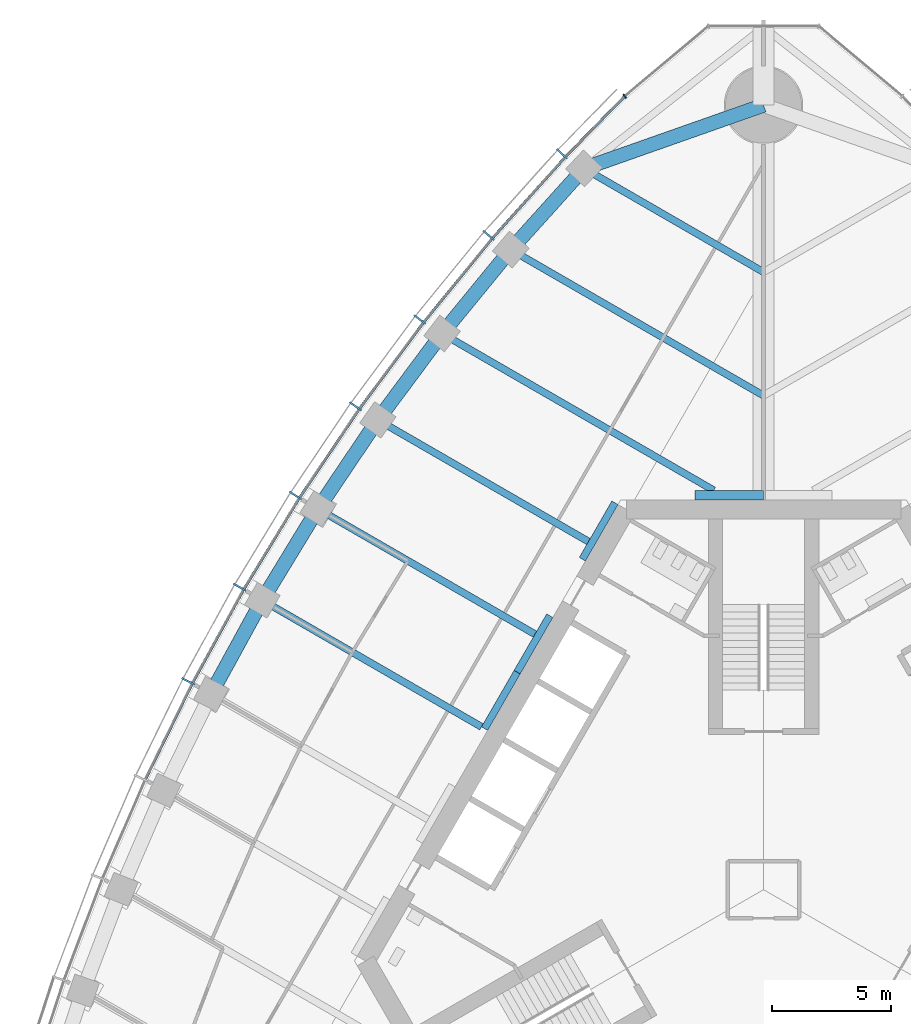
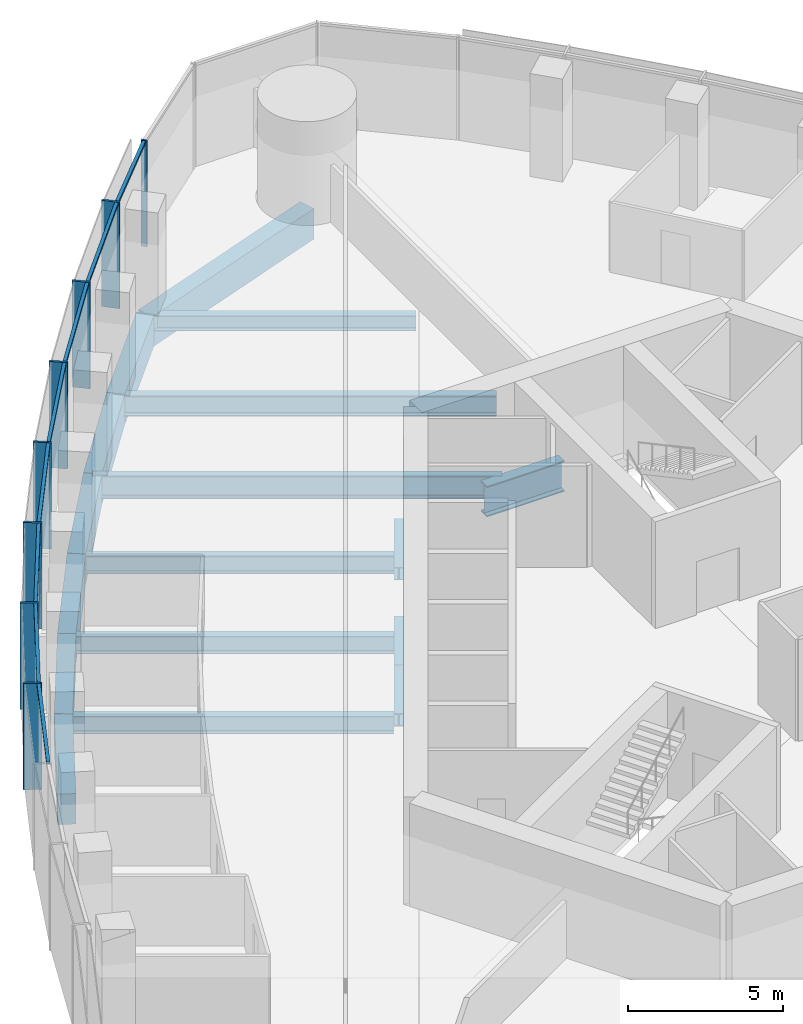
# One storey, part 5 of 19: 17 beams, 16 members, 2 elements without a shape of their own.
"""IFC4 building model written with IfcOpenShell, lengths in metres."""

from ifc_helpers import new_model, si_unit, direction, frame, origin, origin_2d, place, context, subcontext, project, spatial, rectangle, i_section, extrude, material, material_profile, profile_set, type_object, element, aggregate, save


model = new_model("IFC4")

# Units and contexts
model_context = context("Model", 3, precision=1e-05, world=origin(), true_north=direction((0.0, 1.0)))
body_context = subcontext(model_context, "Body", "Model", "MODEL_VIEW")
ifc_project = project(units=[si_unit("LENGTHUNIT", "METRE"), si_unit("AREAUNIT", "SQUARE_METRE"), si_unit("VOLUMEUNIT", "CUBIC_METRE"), si_unit("PLANEANGLEUNIT", "RADIAN"), si_unit("MASSUNIT", "GRAM", prefix="KILO")], contexts=[model_context])

# Site, building, storey
site_placement = place(None, origin())
site = spatial("IfcSite", under=ifc_project, at=site_placement, CompositionType="ELEMENT")
building_placement = place(site_placement, origin())
building = spatial("IfcBuilding", under=site, at=building_placement, Name="Trefoil Bronze Tower", CompositionType="ELEMENT")
storey_placement = place(building_placement, frame((0.0, 0.0, 206.5)))
storey = spatial("IfcBuildingStorey", under=building, at=storey_placement, Name="L47", CompositionType="ELEMENT", Elevation=206.5)

# Curtain wall, members
ifc_material_1 = material(Name="Tinted solar-control glass", Category="glass")
curtain_wall_type_1 = type_object("IfcCurtainWallType", Name="Bronze office curtain wall", PredefinedType="USERDEFINED", material=ifc_material_1)
curtain_wall_1_placement = place(storey_placement, origin())
curtain_wall_1 = element("IfcCurtainWall", 1, at=curtain_wall_1_placement, inside=storey, type_object=curtain_wall_type_1, Name="CW-A L47 F3", ObjectType="CURTAIN WALL", PredefinedType="USERDEFINED")
ifc_material_2 = material(Name="Bronze-finish aluminium", Category="aluminium")
ifc_material_profile_1 = material_profile(ifc_material_2, rectangle(XDim=0.60009765625, YDim=0.080078125, at=origin_2d()), Name="CW-A mullion")
ifc_profile_set_1 = profile_set([ifc_material_profile_1], Name="Bronze-finish aluminium")
member_type_1 = type_object("IfcMemberType", Name="Bronze office curtain wall mullion", PredefinedType="MULLION", material=ifc_profile_set_1)
member_1_placement = place(storey_placement, frame((-8.482177734375, 30.95654296875, 0.0), z_axis=(0.0, 0.0, 1.0), x_axis=(0.729859580661, -0.683597098091, 0.0)))
member_1 = element("IfcMember", 2, at=member_1_placement, type_object=member_type_1, Name="CW-A L47 F3 mullion 2", PredefinedType="MULLION", context=body_context, shape_type="SweptSolid", body=[
    extrude(rectangle(XDim=0.60009765625, YDim=0.080078125, at=origin_2d()), origin(), (0.0, 0.0, 1.0), 4.179931640625),
])
member_2_placement = place(storey_placement, frame((-11.564697265625, 27.525146484375, 0.0), z_axis=(0.0, 0.0, 1.0), x_axis=(0.75935470958, -0.650676897576, 0.0)))
member_2 = element("IfcMember", 3, at=member_2_placement, type_object=member_type_1, Name="CW-A L47 F3 mullion 3", PredefinedType="MULLION", context=body_context, shape_type="SweptSolid", body=[
    extrude(rectangle(XDim=0.60009765625, YDim=0.080078125, at=origin_2d()), origin(), (0.0, 0.0, 1.0), 4.179931640625),
])
member_3_placement = place(storey_placement, frame((-14.45849609375, 23.98388671875, 0.0), z_axis=(0.0, 0.0, 1.0), x_axis=(0.788821461078, -0.614622406476, 0.0)))
member_3 = element("IfcMember", 4, at=member_3_placement, type_object=member_type_1, Name="CW-A L47 F3 mullion 4", PredefinedType="MULLION", context=body_context, shape_type="SweptSolid", body=[
    extrude(rectangle(XDim=0.60009765625, YDim=0.080078125, at=origin_2d()), origin(), (0.0, 0.0, 1.0), 4.179931640625),
])
member_4_placement = place(storey_placement, frame((-17.167236328125, 20.335693359375, 0.0), z_axis=(0.0, 0.0, 1.0), x_axis=(0.81640398396, -0.577481198806, 0.0)))
member_4 = element("IfcMember", 5, at=member_4_placement, type_object=member_type_1, Name="CW-A L47 F3 mullion 5", PredefinedType="MULLION", context=body_context, shape_type="SweptSolid", body=[
    extrude(rectangle(XDim=0.60009765625, YDim=0.080078125, at=origin_2d()), origin(), (0.0, 0.0, 1.0), 4.179931640625),
])
member_5_placement = place(storey_placement, frame((-19.694091796875, 16.58251953125, 0.0), z_axis=(0.0, 0.0, 1.0), x_axis=(0.842132664593, -0.539270410114, 0.0)))
member_5 = element("IfcMember", 6, at=member_5_placement, type_object=member_type_1, Name="CW-A L47 F3 mullion 6", PredefinedType="MULLION", context=body_context, shape_type="SweptSolid", body=[
    extrude(rectangle(XDim=0.60009765625, YDim=0.080078125, at=origin_2d()), origin(), (0.0, 0.0, 1.0), 4.179931640625),
])
member_6_placement = place(storey_placement, frame((-22.041015625, 12.725341796875, 0.0), z_axis=(0.0, 0.0, 1.0), x_axis=(0.866025403784, -0.5, 0.0)))
member_6 = element("IfcMember", 7, at=member_6_placement, type_object=member_type_1, Name="CW-A L47 F3 mullion 7", PredefinedType="MULLION", context=body_context, shape_type="SweptSolid", body=[
    extrude(rectangle(XDim=0.60009765625, YDim=0.080078125, at=origin_2d()), origin(), (0.0, 0.0, 1.0), 4.179931640625),
])
member_7_placement = place(storey_placement, frame((-24.2080078125, 8.764404296875, 0.0), z_axis=(0.0, 0.0, 1.0), x_axis=(0.888088206965, -0.459673075837, 0.0)))
member_7 = element("IfcMember", 8, at=member_7_placement, type_object=member_type_1, Name="CW-A L47 F3 mullion 8", PredefinedType="MULLION", context=body_context, shape_type="SweptSolid", body=[
    extrude(rectangle(XDim=0.60009765625, YDim=0.080078125, at=origin_2d()), origin(), (0.0, 0.0, 1.0), 4.179931640625),
])
ifc_material_3 = material(Name="Bronze-finish aluminium", Category="aluminium")
ifc_material_profile_2 = material_profile(ifc_material_3, rectangle(XDim=0.1201171875, YDim=0.10009765625, at=origin_2d()), Name="CW-A transom")
ifc_profile_set_2 = profile_set([ifc_material_profile_2], Name="Bronze-finish aluminium")
member_type_2 = type_object("IfcMemberType", Name="Bronze office curtain wall transom", PredefinedType="USERDEFINED", material=ifc_profile_set_2)
member_8_placement = place(storey_placement, frame((-5.873046875, 33.342529296875, 4.1298828125), z_axis=(-0.698646935368, -0.715466602785, 0.0), x_axis=(0.715466602785, -0.698646935368, 0.0)))
member_8 = element("IfcMember", 9, at=member_8_placement, type_object=member_type_2, Name="CW-A L47 F3 transom 1", ObjectType="TRANSOM", PredefinedType="USERDEFINED", context=body_context, shape_type="SweptSolid", body=[
    extrude(rectangle(XDim=0.1201171875, YDim=0.10009765625, at=origin_2d()), origin(), (0.0, 0.0, 1.0), 3.483642578125),
])
member_9_placement = place(storey_placement, frame((-8.364501953125, 30.78857421875, 4.1298828125), z_axis=(-0.66825109551, -0.743935799213, 0.0), x_axis=(0.743935799213, -0.66825109551, 0.0)))
member_9 = element("IfcMember", 10, at=member_9_placement, type_object=member_type_2, Name="CW-A L47 F3 transom 2", ObjectType="TRANSOM", PredefinedType="USERDEFINED", context=body_context, shape_type="SweptSolid", body=[
    extrude(rectangle(XDim=0.1201171875, YDim=0.10009765625, at=origin_2d()), origin(), (0.0, 0.0, 1.0), 4.519287109375),
])
member_10_placement = place(storey_placement, frame((-11.439453125, 27.3623046875, 4.1298828125), z_axis=(-0.632756871921, -0.774350528531, 0.0), x_axis=(0.774350528531, -0.632756871921, 0.0)))
member_10 = element("IfcMember", 11, at=member_10_placement, type_object=member_type_2, Name="CW-A L47 F3 transom 3", ObjectType="TRANSOM", PredefinedType="USERDEFINED", context=body_context, shape_type="SweptSolid", body=[
    extrude(rectangle(XDim=0.1201171875, YDim=0.10009765625, at=origin_2d()), origin(), (0.0, 0.0, 1.0), 4.4794921875),
])
member_11_placement = place(storey_placement, frame((-14.325927734375, 23.826904296875, 4.1298828125), z_axis=(-0.59614822717, -0.802874393191, 0.0), x_axis=(0.802874393191, -0.59614822717, 0.0)))
member_11 = element("IfcMember", 12, at=member_11_placement, type_object=member_type_2, Name="CW-A L47 F3 transom 4", ObjectType="TRANSOM", PredefinedType="USERDEFINED", context=body_context, shape_type="SweptSolid", body=[
    extrude(rectangle(XDim=0.1201171875, YDim=0.10009765625, at=origin_2d()), origin(), (0.0, 0.0, 1.0), 4.449951171875),
])
member_12_placement = place(storey_placement, frame((-17.027587890625, 20.18505859375, 4.1298828125), z_axis=(-0.558509087547, -0.829498402125, 0.0), x_axis=(0.829498402125, -0.558509087547, 0.0)))
member_12 = element("IfcMember", 13, at=member_12_placement, type_object=member_type_2, Name="CW-A L47 F3 transom 5", ObjectType="TRANSOM", PredefinedType="USERDEFINED", context=body_context, shape_type="SweptSolid", body=[
    extrude(rectangle(XDim=0.1201171875, YDim=0.10009765625, at=origin_2d()), origin(), (0.0, 0.0, 1.0), 4.4306640625),
])
member_13_placement = place(storey_placement, frame((-19.5478515625, 16.4384765625, 4.1298828125), z_axis=(-0.519740214649, -0.854324358354, 0.0), x_axis=(0.854324358354, -0.519740214649, 0.0)))
member_13 = element("IfcMember", 14, at=member_13_placement, type_object=member_type_2, Name="CW-A L47 F3 transom 6", ObjectType="TRANSOM", PredefinedType="USERDEFINED", context=body_context, shape_type="SweptSolid", body=[
    extrude(rectangle(XDim=0.1201171875, YDim=0.10009765625, at=origin_2d()), origin(), (0.0, 0.0, 1.0), 4.421142578125),
])
member_14_placement = place(storey_placement, frame((-21.887939453125, 12.588134765625, 4.1298828125), z_axis=(-0.479973729071, -0.877282861683, 0.0), x_axis=(0.877282861683, -0.479973729071, 0.0)))
member_14 = element("IfcMember", 15, at=member_14_placement, type_object=member_type_2, Name="CW-A L47 F3 transom 7", ObjectType="TRANSOM", PredefinedType="USERDEFINED", context=body_context, shape_type="SweptSolid", body=[
    extrude(rectangle(XDim=0.1201171875, YDim=0.10009765625, at=origin_2d()), origin(), (0.0, 0.0, 1.0), 4.421142578125),
])
member_15_placement = place(storey_placement, frame((-24.048828125, 8.634521484375, 4.1298828125), z_axis=(-0.439150835991, -0.898413347657, 0.0), x_axis=(0.898413347657, -0.439150835991, 0.0)))
member_15 = element("IfcMember", 16, at=member_15_placement, type_object=member_type_2, Name="CW-A L47 F3 transom 8", ObjectType="TRANSOM", PredefinedType="USERDEFINED", context=body_context, shape_type="SweptSolid", body=[
    extrude(rectangle(XDim=0.1201171875, YDim=0.10009765625, at=origin_2d()), origin(), (0.0, 0.0, 1.0), 4.430908203125),
])
aggregate(curtain_wall_1, [member_1, member_2, member_3, member_4, member_5, member_6, member_7, member_8, member_9, member_10, member_11, member_12, member_13, member_14, member_15])

# Curtain wall, member
ifc_material_4 = material(Name="Tinted solar-control glass", Category="glass")
curtain_wall_type_2 = type_object("IfcCurtainWallType", Name="Bronze rounded corner curtain wall", PredefinedType="USERDEFINED", material=ifc_material_4)
curtain_wall_2_placement = place(storey_placement, origin())
curtain_wall_2 = element("IfcCurtainWall", 17, at=curtain_wall_2_placement, inside=storey, type_object=curtain_wall_type_2, Name="CW-B L47 K2", ObjectType="CURTAIN WALL", PredefinedType="USERDEFINED")
ifc_material_5 = material(Name="Bronze-finish aluminium", Category="aluminium")
ifc_material_profile_3 = material_profile(ifc_material_5, rectangle(XDim=0.199951171875, YDim=0.06005859375, at=origin_2d()), Name="CW-B mullion")
ifc_profile_set_3 = profile_set([ifc_material_profile_3], Name="Bronze-finish aluminium")
member_type_3 = type_object("IfcMemberType", Name="Bronze rounded corner curtain wall mullion", PredefinedType="MULLION", material=ifc_profile_set_3)
member_16_placement = place(storey_placement, frame((-5.837890625, 33.3779296875, 0.0), z_axis=(0.0, 0.0, 1.0), x_axis=(0.642787609687, -0.766044443119, 0.0)))
member_16 = element("IfcMember", 18, at=member_16_placement, type_object=member_type_3, Name="CW-B L47 K2 mullion 4", PredefinedType="MULLION", context=body_context, shape_type="SweptSolid", body=[
    extrude(rectangle(XDim=0.199951171875, YDim=0.06005859375, at=origin_2d()), origin(), (0.0, 0.0, 1.0), 4.179931640625),
])
aggregate(curtain_wall_2, [member_16])

# Beams
ifc_material_6 = material(Name="Steel C355", Category="steel")
ifc_material_profile_4 = material_profile(ifc_material_6, i_section(OverallWidth=0.300048828125, OverallDepth=0.5, WebThickness=0.014404296875, FlangeThickness=0.028076171875, FilletRadius=0.027099609375, at=origin_2d()), Name="HEB 500")
ifc_profile_set_4 = profile_set([ifc_material_profile_4], Name="Steel C355")
beam_type_1 = type_object("IfcBeamType", Name="Core seat beam HEB 500", PredefinedType="BEAM", material=ifc_profile_set_4)
for number, where, z_axis, x_axis, name in (
    (19, (-6.249755859375, 16.27490234375, -0.449951171875), (-0.500035825175, -0.866004719122, 0.0), (0.866004719122, -0.500035825175, 0.0), "Core seat beam F3/-2 L47"),
    (20, (-8.9921875, 11.52490234375, -0.449951171875), (-0.500035825175, -0.866004719122, 0.0), (0.866004719122, -0.500035825175, 0.0), "Core seat beam F3/-1 L47"),
    (21, (-10.363525390625, 9.14990234375, -0.449951171875), (-0.499969057507, -0.866043267704, 0.0), (0.866043267704, -0.499969057507, 0.0), "Core seat beam F3/+0 L47"),
):
    element("IfcBeam", number, at=place(storey_placement, frame(where, z_axis=z_axis, x_axis=x_axis)), inside=storey, type_object=beam_type_1, Name=name, PredefinedType="BEAM", context=body_context, shape_type="SweptSolid", body=[
        extrude(i_section(OverallWidth=0.300048828125, OverallDepth=0.5, WebThickness=0.014404296875, FlangeThickness=0.028076171875, FilletRadius=0.027099609375, at=origin_2d()), origin(), (0.0, 0.0, 1.0), 2.742431640625),
    ])
ifc_material_7 = material(Name="Steel C355", Category="steel")
ifc_material_profile_5 = material_profile(ifc_material_7, i_section(OverallWidth=0.39990234375, OverallDepth=1.199951171875, WebThickness=0.02001953125, FlangeThickness=0.0400390625, FilletRadius=0.010009765625, at=origin_2d()), Name="WPG 1200")
ifc_profile_set_5 = profile_set([ifc_material_profile_5], Name="Steel C355")
beam_type_2 = type_object("IfcBeamType", Name="Core seat beam WPG 1200", PredefinedType="BEAM", material=ifc_profile_set_5)
beam_1_placement = place(storey_placement, frame((0.0, 16.60009765625, -0.800048828125), z_axis=(-1.0, 0.0, 0.0), x_axis=(0.0, -1.0, 0.0)))
element("IfcBeam", 22, at=beam_1_placement, inside=storey, type_object=beam_type_2, Name="Core seat beam F3/-3 L47", PredefinedType="BEAM", context=body_context, shape_type="SweptSolid", body=[
    extrude(i_section(OverallWidth=0.39990234375, OverallDepth=1.199951171875, WebThickness=0.02001953125, FlangeThickness=0.0400390625, FilletRadius=0.010009765625, at=origin_2d()), origin(), (0.0, 0.0, 1.0), 2.88671875),
])
ifc_material_8 = material(Name="Concrete B80", Category="concrete")
ifc_material_profile_6 = material_profile(ifc_material_8, rectangle(XDim=0.60009765625, YDim=1.199951171875, at=origin_2d()), Name="RC 600x1200")
ifc_profile_set_6 = profile_set([ifc_material_profile_6], Name="Concrete B80")
beam_type_3 = type_object("IfcBeamType", Name="End spandrel beam RC 600x1200", PredefinedType="SPANDREL", material=ifc_profile_set_6)
beam_2_placement = place(storey_placement, frame((0.0, 33.0, -0.800048828125), z_axis=(-0.943234397359, -0.332127794137, 0.0), x_axis=(0.332127794137, -0.943234397359, 0.0)))
element("IfcBeam", 23, at=beam_2_placement, inside=storey, type_object=beam_type_3, Name="Spandrel F3.1 L47", PredefinedType="SPANDREL", context=body_context, shape_type="SweptSolid", body=[
    extrude(rectangle(XDim=0.60009765625, YDim=1.199951171875, at=origin_2d()), origin(), (0.0, 0.0, 1.0), 8.006591796875),
])
ifc_material_9 = material(Name="Steel C355", Category="steel")
ifc_material_profile_7 = material_profile(ifc_material_9, i_section(OverallWidth=0.300048828125, OverallDepth=0.590087890625, WebThickness=0.012939453125, FlangeThickness=0.02490234375, FilletRadius=0.027099609375, at=origin_2d()), Name="HEA 600")
ifc_profile_set_7 = profile_set([ifc_material_profile_7], Name="Steel C355")
beam_type_4 = type_object("IfcBeamType", Name="Floor beam HEA 600", PredefinedType="BEAM", material=ifc_profile_set_7)
beam_3_placement = place(storey_placement, frame((-7.552001953125, 30.3408203125, -0.4951171875), z_axis=(0.866027535932, -0.499996306993, 0.0), x_axis=(0.499996306993, 0.866027535932, 0.0)))
element("IfcBeam", 24, at=beam_3_placement, inside=storey, type_object=beam_type_4, Name="Floor beam F3/-5 L47", PredefinedType="BEAM", context=body_context, shape_type="SweptSolid", body=[
    extrude(i_section(OverallWidth=0.300048828125, OverallDepth=0.590087890625, WebThickness=0.012939453125, FlangeThickness=0.02490234375, FilletRadius=0.027099609375, at=origin_2d()), origin(), (0.0, 0.0, 1.0), 8.72021484375),
])
ifc_material_10 = material(Name="Steel C355", Category="steel")
ifc_material_profile_8 = material_profile(ifc_material_10, i_section(OverallWidth=0.300048828125, OverallDepth=0.699951171875, WebThickness=0.01708984375, FlangeThickness=0.031982421875, FilletRadius=0.027099609375, at=origin_2d()), Name="HEB 700")
ifc_profile_set_8 = profile_set([ifc_material_profile_8], Name="Steel C355")
beam_type_5 = type_object("IfcBeamType", Name="Floor beam HEB 700", PredefinedType="BEAM", material=ifc_profile_set_8)
beam_4_placement = place(storey_placement, frame((-16.2265625, 19.7607421875, -0.550048828125), z_axis=(0.866027856548, -0.499995751665, 0.0), x_axis=(0.499995751665, 0.866027856548, 0.0)))
element("IfcBeam", 25, at=beam_4_placement, inside=storey, type_object=beam_type_5, Name="Floor beam F3/-2 L47", PredefinedType="BEAM", context=body_context, shape_type="SweptSolid", body=[
    extrude(i_section(OverallWidth=0.300048828125, OverallDepth=0.699951171875, WebThickness=0.01708984375, FlangeThickness=0.031982421875, FilletRadius=0.027099609375, at=origin_2d()), origin(), (0.0, 0.0, 1.0), 10.23291015625),
])
beam_5_placement = place(storey_placement, frame((-18.748046875, 16.020263671875, -0.550048828125), z_axis=(0.866027918957, -0.499995643569, 0.0), x_axis=(0.499995643569, 0.866027918957, 0.0)))
element("IfcBeam", 26, at=beam_5_placement, inside=storey, type_object=beam_type_5, Name="Floor beam F3/-1 L47", PredefinedType="BEAM", context=body_context, shape_type="SweptSolid", body=[
    extrude(i_section(OverallWidth=0.300048828125, OverallDepth=0.699951171875, WebThickness=0.01708984375, FlangeThickness=0.031982421875, FilletRadius=0.027099609375, at=origin_2d()), origin(), (0.0, 0.0, 1.0), 10.54638671875),
])
beam_6_placement = place(storey_placement, frame((-21.08837890625, 12.17529296875, -0.550048828125), z_axis=(0.866034044198, -0.499985034066, 0.0), x_axis=(0.499985034066, 0.866034044198, 0.0)))
element("IfcBeam", 27, at=beam_6_placement, inside=storey, type_object=beam_type_5, Name="Floor beam F3/+0 L47", PredefinedType="BEAM", context=body_context, shape_type="SweptSolid", body=[
    extrude(i_section(OverallWidth=0.300048828125, OverallDepth=0.699951171875, WebThickness=0.01708984375, FlangeThickness=0.031982421875, FilletRadius=0.027099609375, at=origin_2d()), origin(), (0.0, 0.0, 1.0), 10.650634765625),
])
ifc_material_11 = material(Name="Steel C355", Category="steel")
ifc_material_profile_9 = material_profile(ifc_material_11, i_section(OverallWidth=0.300048828125, OverallDepth=0.800048828125, WebThickness=0.017578125, FlangeThickness=0.032958984375, FilletRadius=0.030029296875, at=origin_2d()), Name="HEB 800")
ifc_profile_set_9 = profile_set([ifc_material_profile_9], Name="Steel C355")
beam_type_6 = type_object("IfcBeamType", Name="Floor beam HEB 800", PredefinedType="BEAM", material=ifc_profile_set_9)
beam_7_placement = place(storey_placement, frame((-10.632080078125, 26.923095703125, -0.60009765625), z_axis=(0.866025635187, -0.499999599199, 0.0), x_axis=(0.499999599199, 0.866025635187, 0.0)))
element("IfcBeam", 28, at=beam_7_placement, inside=storey, type_object=beam_type_6, Name="Floor beam F3/-4 L47", PredefinedType="BEAM", context=body_context, shape_type="SweptSolid", body=[
    extrude(i_section(OverallWidth=0.300048828125, OverallDepth=0.800048828125, WebThickness=0.017578125, FlangeThickness=0.032958984375, FilletRadius=0.030029296875, at=origin_2d()), origin(), (0.0, 0.0, 1.0), 12.27685546875),
])
ifc_material_12 = material(Name="Steel C355", Category="steel")
ifc_material_profile_10 = material_profile(ifc_material_12, i_section(OverallWidth=0.300048828125, OverallDepth=0.89990234375, WebThickness=0.0185546875, FlangeThickness=0.034912109375, FilletRadius=0.030029296875, at=origin_2d()), Name="HEB 900")
ifc_profile_set_10 = profile_set([ifc_material_profile_10], Name="Steel C355")
beam_type_7 = type_object("IfcBeamType", Name="Floor beam HEB 900", PredefinedType="BEAM", material=ifc_profile_set_10)
beam_8_placement = place(storey_placement, frame((-13.522216796875, 23.3955078125, -0.64990234375), z_axis=(0.866028399451, -0.499994811317, 0.0), x_axis=(0.499994811317, 0.866028399451, 0.0)))
element("IfcBeam", 29, at=beam_8_placement, inside=storey, type_object=beam_type_7, Name="Floor beam F3/-3 L47", PredefinedType="BEAM", context=body_context, shape_type="SweptSolid", body=[
    extrude(i_section(OverallWidth=0.300048828125, OverallDepth=0.89990234375, WebThickness=0.0185546875, FlangeThickness=0.034912109375, FilletRadius=0.030029296875, at=origin_2d()), origin(), (0.0, 0.0, 1.0), 13.191162109375),
])
ifc_material_13 = material(Name="Concrete B80", Category="concrete")
ifc_material_profile_11 = material_profile(ifc_material_13, rectangle(XDim=0.60009765625, YDim=1.199951171875, at=origin_2d()), Name="RC 600x1200")
ifc_profile_set_11 = profile_set([ifc_material_profile_11], Name="Concrete B80")
beam_type_8 = type_object("IfcBeamType", Name="Spandrel beam RC 600x1200", PredefinedType="SPANDREL", material=ifc_profile_set_11)
beam_9_placement = place(storey_placement, frame((-7.552001953125, 30.3408203125, -0.800048828125), z_axis=(-0.669460045872, -0.742848064534, 0.0), x_axis=(0.742848064534, -0.669460045872, 0.0)))
element("IfcBeam", 30, at=beam_9_placement, inside=storey, type_object=beam_type_8, Name="Spandrel F3.2 L47", PredefinedType="SPANDREL", context=body_context, shape_type="SweptSolid", body=[
    extrude(rectangle(XDim=0.60009765625, YDim=1.199951171875, at=origin_2d()), origin(), (0.0, 0.0, 1.0), 4.600830078125),
])
beam_10_placement = place(storey_placement, frame((-10.632080078125, 26.923095703125, -0.800048828125), z_axis=(-0.633753657863, -0.773534938542, 0.0), x_axis=(0.773534938542, -0.633753657863, 0.0)))
element("IfcBeam", 31, at=beam_10_placement, inside=storey, type_object=beam_type_8, Name="Spandrel F3.3 L47", PredefinedType="SPANDREL", context=body_context, shape_type="SweptSolid", body=[
    extrude(rectangle(XDim=0.60009765625, YDim=1.199951171875, at=origin_2d()), origin(), (0.0, 0.0, 1.0), 4.560302734375),
])
beam_11_placement = place(storey_placement, frame((-13.522216796875, 23.3955078125, -0.800048828125), z_axis=(-0.596926078257, -0.802296240236, 0.0), x_axis=(0.802296240236, -0.596926078257, 0.0)))
element("IfcBeam", 32, at=beam_11_placement, inside=storey, type_object=beam_type_8, Name="Spandrel F3.4 L47", PredefinedType="SPANDREL", context=body_context, shape_type="SweptSolid", body=[
    extrude(rectangle(XDim=0.60009765625, YDim=1.199951171875, at=origin_2d()), origin(), (0.0, 0.0, 1.0), 4.530517578125),
])
beam_12_placement = place(storey_placement, frame((-16.2265625, 19.7607421875, -0.800048828125), z_axis=(-0.558964302753, -0.829191719838, 0.0), x_axis=(0.829191719838, -0.558964302753, 0.0)))
element("IfcBeam", 33, at=beam_12_placement, inside=storey, type_object=beam_type_8, Name="Spandrel F3.5 L47", PredefinedType="SPANDREL", context=body_context, shape_type="SweptSolid", body=[
    extrude(rectangle(XDim=0.60009765625, YDim=1.199951171875, at=origin_2d()), origin(), (0.0, 0.0, 1.0), 4.510986328125),
])
for number, where, z_axis, x_axis, name in (
    (34, (-18.748046875, 16.020263671875, -0.800048828125), (-0.519933181394, -0.854206934464, 0.0), (0.854206934464, -0.519933181394, 0.0), "Spandrel F3.6 L47"),
    (35, (-21.08837890625, 12.17529296875, -0.800048828125), (-0.479801903802, -0.87737684783, 0.0), (0.87737684783, -0.479801903802, 0.0), "Spandrel F3.7 L47"),
):
    element("IfcBeam", number, at=place(storey_placement, frame(where, z_axis=z_axis, x_axis=x_axis)), inside=storey, type_object=beam_type_8, Name=name, PredefinedType="SPANDREL", context=body_context, shape_type="SweptSolid", body=[
        extrude(rectangle(XDim=0.60009765625, YDim=1.199951171875, at=origin_2d()), origin(), (0.0, 0.0, 1.0), 4.501220703125),
    ])

save(model, "model.ifc")
